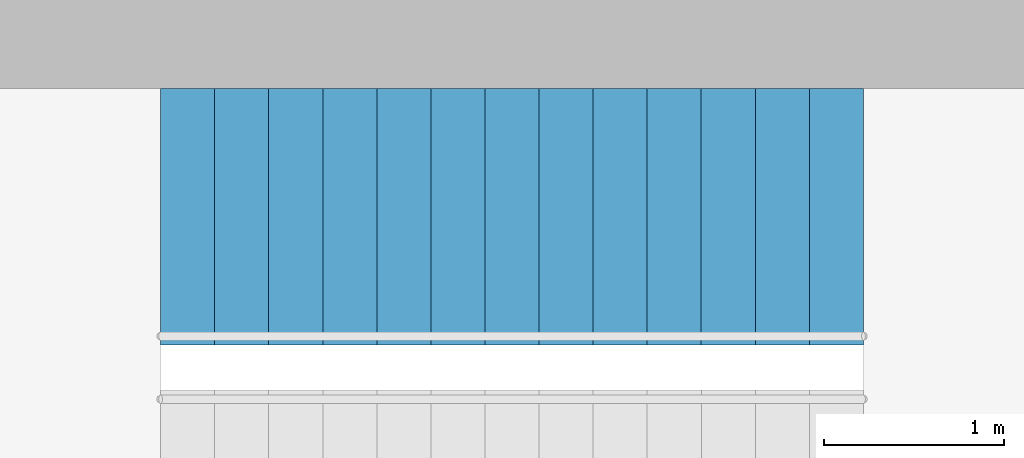
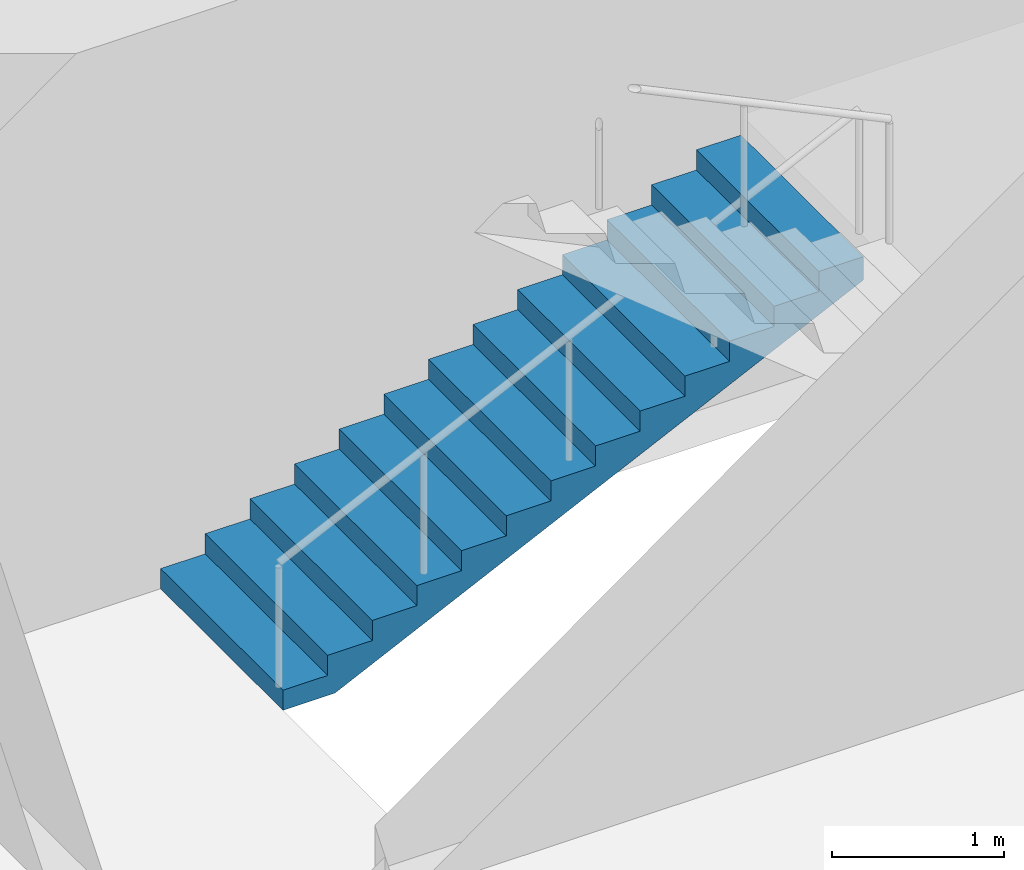
# One storey, part 43 of 45: 1 stair flight, 1 element without a shape of its own.
"""IFC4 building model written with IfcOpenShell, lengths in metres."""

from ifc_helpers import new_model, si_unit, direction, frame, origin, place, context, subcontext, project, spatial, polyline, outline, extrude, material, type_object, element, aggregate, save


model = new_model("IFC4")

# Units and contexts
model_context = context("Model", 3, precision=1e-05, world=origin(), true_north=direction((0.0, 1.0)))
body_context = subcontext(model_context, "Body", "Model", "MODEL_VIEW")
ifc_project = project(units=[si_unit("LENGTHUNIT", "METRE"), si_unit("AREAUNIT", "SQUARE_METRE"), si_unit("VOLUMEUNIT", "CUBIC_METRE"), si_unit("PLANEANGLEUNIT", "RADIAN"), si_unit("MASSUNIT", "GRAM", prefix="KILO")], contexts=[model_context])

# Site, building, storey
site_placement = place(None, origin())
site = spatial("IfcSite", under=ifc_project, at=site_placement, CompositionType="ELEMENT")
building_placement = place(site_placement, origin())
building = spatial("IfcBuilding", under=site, at=building_placement, Name="Zorevar Civic Tower", CompositionType="ELEMENT")
storey_placement = place(building_placement, frame((0.0, 0.0, 27.800048828125)))
storey = spatial("IfcBuildingStorey", under=building, at=storey_placement, Name="L06", CompositionType="ELEMENT", Elevation=27.800048828125)

# Stair, stair flight
ifc_material_1 = material(Name="Precast concrete C40/50", Category="concrete")
stair_type = type_object("IfcStairType", Name="Stair ST 28R", PredefinedType="HALF_TURN_STAIR", material=ifc_material_1)
stair_placement = place(storey_placement, origin())
stair = element("IfcStair", 1, at=stair_placement, inside=storey, type_object=stair_type, Name="Stair ST2 L06", PredefinedType="HALF_TURN_STAIR")
ifc_material_2 = material(Name="Precast concrete C40/50", Category="concrete")
stair_flight_type = type_object("IfcStairFlightType", Name="Stair flight", PredefinedType="STRAIGHT", material=ifc_material_2)
stair_flight_placement = place(storey_placement, frame((37.949951171875, 34.737548828125, 0.0), z_axis=(0.0, 0.0, 1.0), x_axis=(1.0, 0.0, 0.0)))
stair_flight = element("IfcStairFlight", 2, at=stair_flight_placement, type_object=stair_flight_type, Name="ST2 flight 1", NumberOfRisers=14, NumberOfTreads=13, PredefinedType="STRAIGHT", RiserHeight=0.142857143, TreadLength=0.3, context=body_context, shape_type="SweptSolid", body=[
    extrude(outline(polyline([(0.0, 0.0), (0.0, 0.142822265625), (0.300048828125, 0.142822265625), (0.300048828125, 0.28564453125), (0.60009765625, 0.28564453125), (0.60009765625, 0.428466796875), (0.89990234375, 0.428466796875), (0.89990234375, 0.571533203125), (1.199951171875, 0.571533203125), (1.199951171875, 0.71435546875), (1.5, 0.71435546875), (1.5, 0.857177734375), (1.800048828125, 0.857177734375), (1.800048828125, 1.0), (2.10009765625, 1.0), (2.10009765625, 1.142822265625), (2.39990234375, 1.142822265625), (2.39990234375, 1.28564453125), (2.699951171875, 1.28564453125), (2.699951171875, 1.428466796875), (3.0, 1.428466796875), (3.0, 1.571533203125), (3.300048828125, 1.571533203125), (3.300048828125, 1.71435546875), (3.60009765625, 1.71435546875), (3.60009765625, 1.857177734375), (3.89990234375, 1.857177734375), (3.89990234375, 2.0), (3.89990234375, 1.691162109375), (0.3486328125, 0.0), (0.0, 0.0)])), frame((0.0, 0.71240234375, 0.0), z_axis=(0.0, -1.0, 0.0), x_axis=(1.0, 0.0, 0.0)), (0.0, 0.0, 1.0), 1.425048828125),
])
aggregate(stair, [stair_flight])

save(model, "model.ifc")
